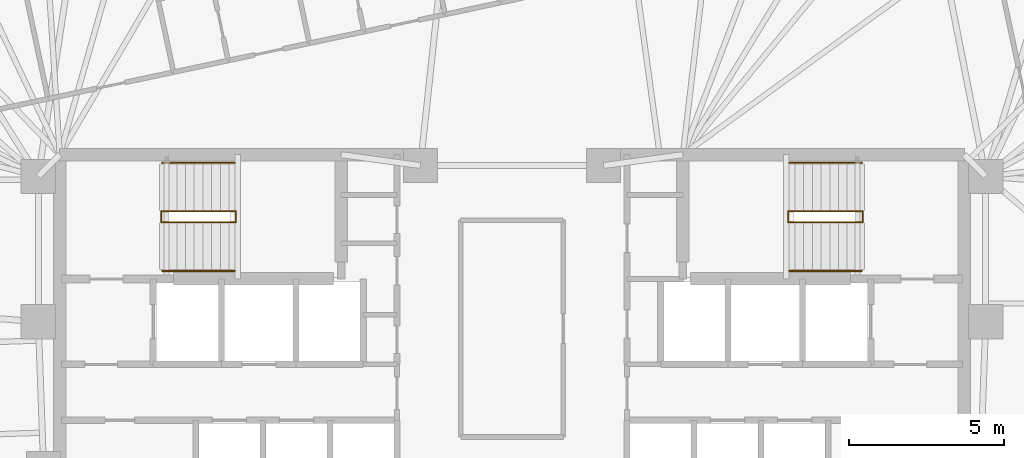
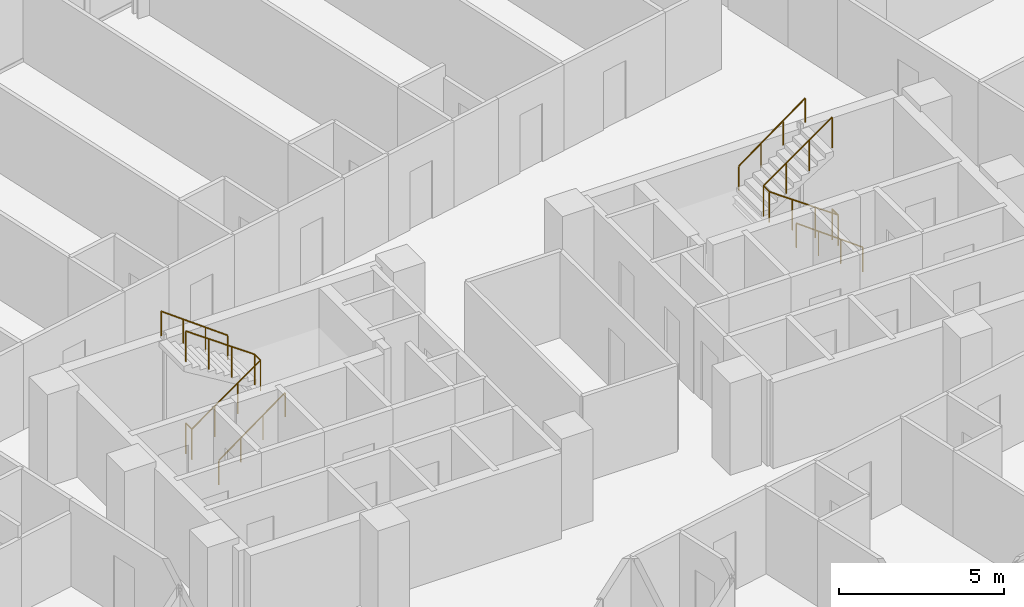
# One storey, part 21 of 21: 6 railings.
"""IFC4 building model written with IfcOpenShell, lengths in metres."""

from ifc_helpers import new_model, si_unit, direction, frame, origin, origin_2d, place, context, subcontext, project, spatial, circle, extrude, material, type_object, element, save


model = new_model("IFC4")

# Units and contexts
model_context = context("Model", 3, precision=1e-05, world=origin(), true_north=direction((0.0, 1.0)))
body_context = subcontext(model_context, "Body", "Model", "MODEL_VIEW")
ifc_project = project(units=[si_unit("LENGTHUNIT", "METRE"), si_unit("AREAUNIT", "SQUARE_METRE"), si_unit("VOLUMEUNIT", "CUBIC_METRE"), si_unit("PLANEANGLEUNIT", "RADIAN"), si_unit("MASSUNIT", "GRAM", prefix="KILO")], contexts=[model_context])

# Site, building, storey
site_placement = place(None, origin())
site = spatial("IfcSite", under=ifc_project, at=site_placement, CompositionType="ELEMENT")
building_placement = place(site_placement, origin())
building = spatial("IfcBuilding", under=site, at=building_placement, Name="Menara Jurai Vektor", CompositionType="ELEMENT")
storey_placement = place(building_placement, frame((0.0, 0.0, 165.0)))
storey = spatial("IfcBuildingStorey", under=building, at=storey_placement, Name="L42", CompositionType="ELEMENT", Elevation=165.0)

# Railings
ifc_material_1 = material(Name="Painted Galvanised Steel Balustrade", Category="steel")
railing_type_1 = type_object("IfcRailingType", Name="RAIL-STAIR-GUARD", PredefinedType="GUARDRAIL", material=ifc_material_1)
railing_1_placement = place(storey_placement, frame((-11.2900390625, 3.780029296875, 0.0)))
element("IfcRailing", 1, at=railing_1_placement, inside=storey, type_object=railing_type_1, Name="ST1 Stair Guardrail 1 L42", PredefinedType="GUARDRAIL", context=body_context, shape_type="SweptSolid", body=[
    extrude(circle(Radius=0.02392578125, at=origin_2d()), frame((0.0, 0.0, 1.1259765625), z_axis=(0.0, -1.0, 0.0), x_axis=(1.0, 0.0, 0.0)), (0.0, 0.0, 1.0), 0.360107421875),
    extrude(circle(Radius=0.02392578125, at=origin_2d()), frame((0.0, -0.360107421875, 1.1259765625), z_axis=(0.816048950856, 0.0, 0.577982793694), x_axis=(0.0, 1.0, 0.0)), (0.0, 0.0, 1.0), 2.941162109375),
    extrude(circle(Radius=0.02392578125, at=origin_2d()), frame((2.400146484375, -0.360107421875, 2.82568359375), z_axis=(0.0, 1.0, 0.0), x_axis=(-1.0, 0.0, 0.0)), (0.0, 0.0, 1.0), 0.360107421875),
    extrude(circle(Radius=0.02392578125, at=origin_2d()), frame((2.400146484375, 0.0, 2.82568359375), z_axis=(-0.816048950856, 0.0, 0.577982793694), x_axis=(0.0, -1.0, 0.0)), (0.0, 0.0, 1.0), 2.941162109375),
    extrude(circle(Radius=0.02099609375, at=origin_2d()), origin(), (0.0, 0.0, 1.0), 1.101806640625),
    extrude(circle(Radius=0.02099609375, at=origin_2d()), frame((0.0, -0.360107421875, 0.0)), (0.0, 0.0, 1.0), 1.101806640625),
    extrude(circle(Radius=0.02099609375, at=origin_2d()), frame((0.800048828125, -0.360107421875, 0.566650390625)), (0.0, 0.0, 1.0), 1.101806640625),
    extrude(circle(Radius=0.02099609375, at=origin_2d()), frame((1.60009765625, -0.360107421875, 1.13330078125)), (0.0, 0.0, 1.0), 1.101806640625),
    extrude(circle(Radius=0.02099609375, at=origin_2d()), frame((2.400146484375, -0.360107421875, 1.699951171875)), (0.0, 0.0, 1.0), 1.101806640625),
    extrude(circle(Radius=0.02099609375, at=origin_2d()), frame((2.400146484375, 0.0, 1.699951171875)), (0.0, 0.0, 1.0), 1.101806640625),
    extrude(circle(Radius=0.02099609375, at=origin_2d()), frame((1.60009765625, 0.0, 2.2666015625)), (0.0, 0.0, 1.0), 1.101806640625),
    extrude(circle(Radius=0.02099609375, at=origin_2d()), frame((0.800048828125, 0.0, 2.833251953125)), (0.0, 0.0, 1.0), 1.101806640625),
    extrude(circle(Radius=0.02099609375, at=origin_2d()), frame((0.0, 0.0, 3.39990234375)), (0.0, 0.0, 1.0), 1.101806640625),
])
railing_2_placement = place(storey_placement, frame((11.2900390625, 3.780029296875, 0.0)))
element("IfcRailing", 2, at=railing_2_placement, inside=storey, type_object=railing_type_1, Name="ST2 Stair Guardrail 1 L42", PredefinedType="GUARDRAIL", context=body_context, shape_type="SweptSolid", body=[
    extrude(circle(Radius=0.02392578125, at=origin_2d()), frame((0.0, 0.0, 1.1259765625), z_axis=(0.0, -1.0, 0.0), x_axis=(1.0, 0.0, 0.0)), (0.0, 0.0, 1.0), 0.360107421875),
    extrude(circle(Radius=0.02392578125, at=origin_2d()), frame((0.0, -0.360107421875, 1.1259765625), z_axis=(-0.816048950856, 0.0, 0.577982793694), x_axis=(0.0, -1.0, 0.0)), (0.0, 0.0, 1.0), 2.941162109375),
    extrude(circle(Radius=0.02392578125, at=origin_2d()), frame((-2.400146484375, -0.360107421875, 2.82568359375), z_axis=(0.0, 1.0, 0.0), x_axis=(-1.0, 0.0, 0.0)), (0.0, 0.0, 1.0), 0.360107421875),
    extrude(circle(Radius=0.02392578125, at=origin_2d()), frame((-2.400146484375, 0.0, 2.82568359375), z_axis=(0.816048950856, 0.0, 0.577982793694), x_axis=(0.0, 1.0, 0.0)), (0.0, 0.0, 1.0), 2.941162109375),
    extrude(circle(Radius=0.02099609375, at=origin_2d()), origin(), (0.0, 0.0, 1.0), 1.101806640625),
    extrude(circle(Radius=0.02099609375, at=origin_2d()), frame((0.0, -0.360107421875, 0.0)), (0.0, 0.0, 1.0), 1.101806640625),
    extrude(circle(Radius=0.02099609375, at=origin_2d()), frame((-0.800048828125, -0.360107421875, 0.566650390625)), (0.0, 0.0, 1.0), 1.101806640625),
    extrude(circle(Radius=0.02099609375, at=origin_2d()), frame((-1.60009765625, -0.360107421875, 1.13330078125)), (0.0, 0.0, 1.0), 1.101806640625),
    extrude(circle(Radius=0.02099609375, at=origin_2d()), frame((-2.400146484375, -0.360107421875, 1.699951171875)), (0.0, 0.0, 1.0), 1.101806640625),
    extrude(circle(Radius=0.02099609375, at=origin_2d()), frame((-2.400146484375, 0.0, 1.699951171875)), (0.0, 0.0, 1.0), 1.101806640625),
    extrude(circle(Radius=0.02099609375, at=origin_2d()), frame((-1.60009765625, 0.0, 2.2666015625)), (0.0, 0.0, 1.0), 1.101806640625),
    extrude(circle(Radius=0.02099609375, at=origin_2d()), frame((-0.800048828125, 0.0, 2.833251953125)), (0.0, 0.0, 1.0), 1.101806640625),
    extrude(circle(Radius=0.02099609375, at=origin_2d()), frame((0.0, 0.0, 3.39990234375)), (0.0, 0.0, 1.0), 1.101806640625),
])
ifc_material_2 = material(Name="Brushed Stainless Steel Handrail", Category="steel")
railing_type_2 = type_object("IfcRailingType", Name="RAIL-STAIR-HAND", PredefinedType="HANDRAIL", material=ifc_material_2)
railing_3_placement = place(storey_placement, frame((-11.25, 1.860107421875, 0.0)))
element("IfcRailing", 3, at=railing_3_placement, inside=storey, type_object=railing_type_2, Name="ST1 Stair Handrail 1 L42", PredefinedType="HANDRAIL", context=body_context, shape_type="SweptSolid", body=[
    extrude(circle(Radius=0.02392578125, at=origin_2d()), frame((0.0, 0.0, 0.89599609375), z_axis=(0.806642406755, 0.0, 0.591039785145), x_axis=(0.0, 1.0, 0.0)), (0.0, 0.0, 1.0), 2.876220703125),
    extrude(circle(Radius=0.02099609375, at=origin_2d()), origin(), (0.0, 0.0, 1.0), 0.871826171875),
    extrude(circle(Radius=0.02099609375, at=origin_2d()), frame((0.7734375, 0.0, 0.566650390625)), (0.0, 0.0, 1.0), 0.871826171875),
    extrude(circle(Radius=0.02099609375, at=origin_2d()), frame((1.546630859375, 0.0, 1.13330078125)), (0.0, 0.0, 1.0), 0.871826171875),
    extrude(circle(Radius=0.02099609375, at=origin_2d()), frame((2.320068359375, 0.0, 1.699951171875)), (0.0, 0.0, 1.0), 0.871826171875),
])
for number, where, name in (
    (4, (-8.929931640625, 5.340087890625, 1.699951171875), "ST1 Stair Handrail 2 L42"),
    (5, (11.25, 1.860107421875, 0.0), "ST2 Stair Handrail 1 L42"),
):
    element("IfcRailing", number, at=place(storey_placement, frame(where)), inside=storey, type_object=railing_type_2, Name=name, PredefinedType="HANDRAIL", context=body_context, shape_type="SweptSolid", body=[
        extrude(circle(Radius=0.02392578125, at=origin_2d()), frame((0.0, 0.0, 0.89599609375), z_axis=(-0.806642406755, 0.0, 0.591039785145), x_axis=(0.0, -1.0, 0.0)), (0.0, 0.0, 1.0), 2.876220703125),
        extrude(circle(Radius=0.02099609375, at=origin_2d()), origin(), (0.0, 0.0, 1.0), 0.871826171875),
        extrude(circle(Radius=0.02099609375, at=origin_2d()), frame((-0.7734375, 0.0, 0.566650390625)), (0.0, 0.0, 1.0), 0.871826171875),
        extrude(circle(Radius=0.02099609375, at=origin_2d()), frame((-1.546630859375, 0.0, 1.13330078125)), (0.0, 0.0, 1.0), 0.871826171875),
        extrude(circle(Radius=0.02099609375, at=origin_2d()), frame((-2.320068359375, 0.0, 1.699951171875)), (0.0, 0.0, 1.0), 0.871826171875),
    ])
railing_4_placement = place(storey_placement, frame((8.929931640625, 5.340087890625, 1.699951171875)))
element("IfcRailing", 6, at=railing_4_placement, inside=storey, type_object=railing_type_2, Name="ST2 Stair Handrail 2 L42", PredefinedType="HANDRAIL", context=body_context, shape_type="SweptSolid", body=[
    extrude(circle(Radius=0.02392578125, at=origin_2d()), frame((0.0, 0.0, 0.89599609375), z_axis=(0.806642406755, 0.0, 0.591039785145), x_axis=(0.0, 1.0, 0.0)), (0.0, 0.0, 1.0), 2.876220703125),
    extrude(circle(Radius=0.02099609375, at=origin_2d()), origin(), (0.0, 0.0, 1.0), 0.871826171875),
    extrude(circle(Radius=0.02099609375, at=origin_2d()), frame((0.7734375, 0.0, 0.566650390625)), (0.0, 0.0, 1.0), 0.871826171875),
    extrude(circle(Radius=0.02099609375, at=origin_2d()), frame((1.546630859375, 0.0, 1.13330078125)), (0.0, 0.0, 1.0), 0.871826171875),
    extrude(circle(Radius=0.02099609375, at=origin_2d()), frame((2.320068359375, 0.0, 1.699951171875)), (0.0, 0.0, 1.0), 0.871826171875),
])

save(model, "model.ifc")
